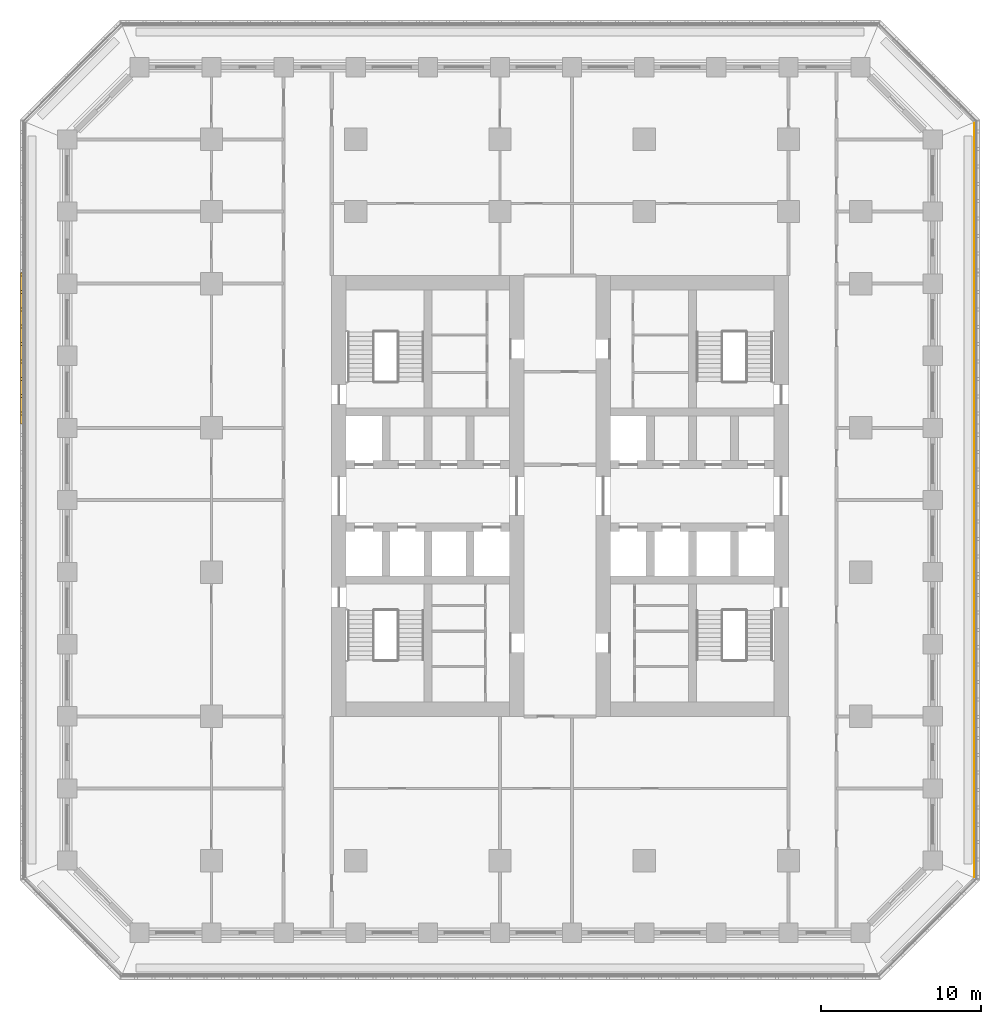
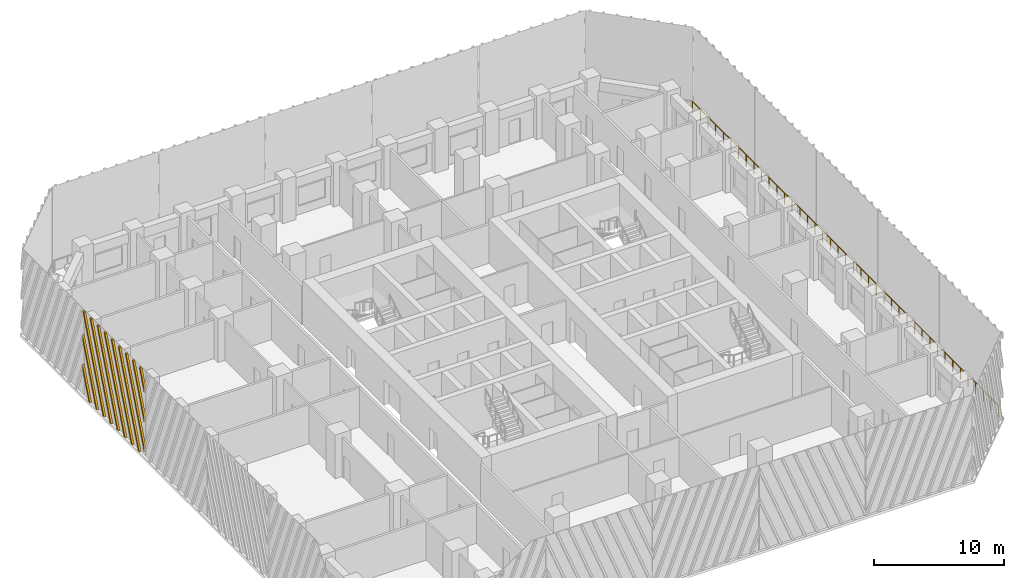
# One storey, part 14 of 19: 1 railing, 1 shading device.
"""IFC4 building model written with IfcOpenShell, lengths in metres."""

from ifc_helpers import new_model, si_unit, direction, frame, origin, origin_2d, place, context, subcontext, project, spatial, polyline, circle, outline, extrude, source, transform, mapped, material, type_object, element, save


model = new_model("IFC4")

# Units and contexts
model_context = context("Model", 3, precision=1e-05, world=origin(), true_north=direction((0.0, 1.0)))
body_context = subcontext(model_context, "Body", "Model", "MODEL_VIEW")
ifc_project = project(units=[si_unit("LENGTHUNIT", "METRE"), si_unit("AREAUNIT", "SQUARE_METRE"), si_unit("VOLUMEUNIT", "CUBIC_METRE"), si_unit("PLANEANGLEUNIT", "RADIAN"), si_unit("MASSUNIT", "GRAM", prefix="KILO")], contexts=[model_context])

# Site, building, storey
site_placement = place(None, origin())
site = spatial("IfcSite", under=ifc_project, at=site_placement, CompositionType="ELEMENT")
building_placement = place(site_placement, origin())
building = spatial("IfcBuilding", under=site, at=building_placement, Name="Corbel Stack Research Tower", CompositionType="ELEMENT")
storey_placement = place(building_placement, frame((0.0, 0.0, 124.89990234375)))
storey = spatial("IfcBuildingStorey", under=building, at=storey_placement, Name="L28", CompositionType="ELEMENT", Elevation=124.89990234375)

# Railing
ifc_material_1 = material(Name="Powder-coated steel guard", Category="steel")
railing_type = type_object("IfcRailingType", Name="Steel and glass guard 1100", PredefinedType="GUARDRAIL", material=ifc_material_1)
railing_placement = place(storey_placement, frame((29.60009765625, -19.00537109375, 0.0)))
element("IfcRailing", 1, at=railing_placement, inside=storey, type_object=railing_type, Name="Loggia guard L28 E", PredefinedType="GUARDRAIL", context=body_context, shape_type="SweptSolid", body=[
    extrude(circle(Radius=0.02392578125, at=origin_2d()), frame((0.0, 0.0, 1.076171875), z_axis=(0.0, 1.0, 0.0), x_axis=(-1.0, 0.0, 0.0)), (0.0, 0.0, 1.0), 47.0107421875),
    extrude(circle(Radius=0.02099609375, at=origin_2d()), origin(), (0.0, 0.0, 1.0), 1.052001953125),
    extrude(circle(Radius=0.02099609375, at=origin_2d()), frame((0.0, 1.17529296875, 0.0)), (0.0, 0.0, 1.0), 1.052001953125),
    extrude(circle(Radius=0.02099609375, at=origin_2d()), frame((0.0, 2.3505859375, 0.0)), (0.0, 0.0, 1.0), 1.052001953125),
    extrude(circle(Radius=0.02099609375, at=origin_2d()), frame((0.0, 3.52587890625, 0.0)), (0.0, 0.0, 1.0), 1.052001953125),
    extrude(circle(Radius=0.02099609375, at=origin_2d()), frame((0.0, 4.701171875, 0.0)), (0.0, 0.0, 1.0), 1.052001953125),
    extrude(circle(Radius=0.02099609375, at=origin_2d()), frame((0.0, 5.87646484375, 0.0)), (0.0, 0.0, 1.0), 1.052001953125),
    extrude(circle(Radius=0.02099609375, at=origin_2d()), frame((0.0, 7.051513671875, 0.0)), (0.0, 0.0, 1.0), 1.052001953125),
    extrude(circle(Radius=0.02099609375, at=origin_2d()), frame((0.0, 8.226806640625, 0.0)), (0.0, 0.0, 1.0), 1.052001953125),
    extrude(circle(Radius=0.02099609375, at=origin_2d()), frame((0.0, 9.402099609375, 0.0)), (0.0, 0.0, 1.0), 1.052001953125),
    extrude(circle(Radius=0.02099609375, at=origin_2d()), frame((0.0, 10.577392578125, 0.0)), (0.0, 0.0, 1.0), 1.052001953125),
    extrude(circle(Radius=0.02099609375, at=origin_2d()), frame((0.0, 11.752685546875, 0.0)), (0.0, 0.0, 1.0), 1.052001953125),
    extrude(circle(Radius=0.02099609375, at=origin_2d()), frame((0.0, 12.927978515625, 0.0)), (0.0, 0.0, 1.0), 1.052001953125),
    extrude(circle(Radius=0.02099609375, at=origin_2d()), frame((0.0, 14.103271484375, 0.0)), (0.0, 0.0, 1.0), 1.052001953125),
    extrude(circle(Radius=0.02099609375, at=origin_2d()), frame((0.0, 15.278564453125, 0.0)), (0.0, 0.0, 1.0), 1.052001953125),
    extrude(circle(Radius=0.02099609375, at=origin_2d()), frame((0.0, 16.453857421875, 0.0)), (0.0, 0.0, 1.0), 1.052001953125),
    extrude(circle(Radius=0.02099609375, at=origin_2d()), frame((0.0, 17.62890625, 0.0)), (0.0, 0.0, 1.0), 1.052001953125),
    extrude(circle(Radius=0.02099609375, at=origin_2d()), frame((0.0, 18.80419921875, 0.0)), (0.0, 0.0, 1.0), 1.052001953125),
    extrude(circle(Radius=0.02099609375, at=origin_2d()), frame((0.0, 19.9794921875, 0.0)), (0.0, 0.0, 1.0), 1.052001953125),
    extrude(circle(Radius=0.02099609375, at=origin_2d()), frame((0.0, 21.15478515625, 0.0)), (0.0, 0.0, 1.0), 1.052001953125),
    extrude(circle(Radius=0.02099609375, at=origin_2d()), frame((0.0, 22.330078125, 0.0)), (0.0, 0.0, 1.0), 1.052001953125),
    extrude(circle(Radius=0.02099609375, at=origin_2d()), frame((0.0, 23.50537109375, 0.0)), (0.0, 0.0, 1.0), 1.052001953125),
    extrude(circle(Radius=0.02099609375, at=origin_2d()), frame((0.0, 24.6806640625, 0.0)), (0.0, 0.0, 1.0), 1.052001953125),
    extrude(circle(Radius=0.02099609375, at=origin_2d()), frame((0.0, 25.85595703125, 0.0)), (0.0, 0.0, 1.0), 1.052001953125),
    extrude(circle(Radius=0.02099609375, at=origin_2d()), frame((0.0, 27.03125, 0.0)), (0.0, 0.0, 1.0), 1.052001953125),
    extrude(circle(Radius=0.02099609375, at=origin_2d()), frame((0.0, 28.20654296875, 0.0)), (0.0, 0.0, 1.0), 1.052001953125),
    extrude(circle(Radius=0.02099609375, at=origin_2d()), frame((0.0, 29.3818359375, 0.0)), (0.0, 0.0, 1.0), 1.052001953125),
    extrude(circle(Radius=0.02099609375, at=origin_2d()), frame((0.0, 30.556884765625, 0.0)), (0.0, 0.0, 1.0), 1.052001953125),
    extrude(circle(Radius=0.02099609375, at=origin_2d()), frame((0.0, 31.732177734375, 0.0)), (0.0, 0.0, 1.0), 1.052001953125),
    extrude(circle(Radius=0.02099609375, at=origin_2d()), frame((0.0, 32.907470703125, 0.0)), (0.0, 0.0, 1.0), 1.052001953125),
    extrude(circle(Radius=0.02099609375, at=origin_2d()), frame((0.0, 34.082763671875, 0.0)), (0.0, 0.0, 1.0), 1.052001953125),
    extrude(circle(Radius=0.02099609375, at=origin_2d()), frame((0.0, 35.258056640625, 0.0)), (0.0, 0.0, 1.0), 1.052001953125),
    extrude(circle(Radius=0.02099609375, at=origin_2d()), frame((0.0, 36.433349609375, 0.0)), (0.0, 0.0, 1.0), 1.052001953125),
    extrude(circle(Radius=0.02099609375, at=origin_2d()), frame((0.0, 37.608642578125, 0.0)), (0.0, 0.0, 1.0), 1.052001953125),
    extrude(circle(Radius=0.02099609375, at=origin_2d()), frame((0.0, 38.783935546875, 0.0)), (0.0, 0.0, 1.0), 1.052001953125),
    extrude(circle(Radius=0.02099609375, at=origin_2d()), frame((0.0, 39.959228515625, 0.0)), (0.0, 0.0, 1.0), 1.052001953125),
    extrude(circle(Radius=0.02099609375, at=origin_2d()), frame((0.0, 41.13427734375, 0.0)), (0.0, 0.0, 1.0), 1.052001953125),
    extrude(circle(Radius=0.02099609375, at=origin_2d()), frame((0.0, 42.3095703125, 0.0)), (0.0, 0.0, 1.0), 1.052001953125),
    extrude(circle(Radius=0.02099609375, at=origin_2d()), frame((0.0, 43.48486328125, 0.0)), (0.0, 0.0, 1.0), 1.052001953125),
    extrude(circle(Radius=0.02099609375, at=origin_2d()), frame((0.0, 44.66015625, 0.0)), (0.0, 0.0, 1.0), 1.052001953125),
    extrude(circle(Radius=0.02099609375, at=origin_2d()), frame((0.0, 45.83544921875, 0.0)), (0.0, 0.0, 1.0), 1.052001953125),
    extrude(circle(Radius=0.02099609375, at=origin_2d()), frame((0.0, 47.0107421875, 0.0)), (0.0, 0.0, 1.0), 1.052001953125),
])

# Shading device
ifc_material_2 = material(Name="Precast terracotta", Category="masonry")
shading_device_type = type_object("IfcShadingDeviceType", Name="Terracotta screen panel", PredefinedType="USERDEFINED", material=ifc_material_2)
shared_shape = source(origin(), body_context, "Body", "SweptSolid", [
    extrude(outline(polyline([(1.14453125, 0.0), (0.0, 2.930419921875), (0.0, 2.44384765625), (0.95458984375, 0.0), (1.14453125, 0.0)])), frame((0.0, 0.0, 0.0), z_axis=(0.0, -1.0, 0.0), x_axis=(1.0, 0.0, 0.0)), (0.0, 0.0, 1.0), 0.179931640625),
    extrude(outline(polyline([(2.22900390625, 0.0), (0.0, 5.707763671875), (0.0, 5.22119140625), (2.0390625, 0.0), (2.22900390625, 0.0)])), frame((0.0, 0.0, 0.0), z_axis=(0.0, -1.0, 0.0), x_axis=(1.0, 0.0, 0.0)), (0.0, 0.0, 1.0), 0.179931640625),
    extrude(outline(polyline([(3.313720703125, 0.0), (0.208984375, 7.949951171875), (0.01904296875, 7.949951171875), (3.123779296875, 0.0), (3.313720703125, 0.0)])), frame((0.0, 0.0, 0.0), z_axis=(0.0, -1.0, 0.0), x_axis=(1.0, 0.0, 0.0)), (0.0, 0.0, 1.0), 0.179931640625),
    extrude(outline(polyline([(4.3984375, 0.0), (1.293701171875, 7.949951171875), (1.103515625, 7.949951171875), (4.20849609375, 0.0), (4.3984375, 0.0)])), frame((0.0, 0.0, 0.0), z_axis=(0.0, -1.0, 0.0), x_axis=(1.0, 0.0, 0.0)), (0.0, 0.0, 1.0), 0.179931640625),
    extrude(outline(polyline([(5.483154296875, 0.0), (2.37841796875, 7.949951171875), (2.188232421875, 7.949951171875), (5.293212890625, 0.0), (5.483154296875, 0.0)])), frame((0.0, 0.0, 0.0), z_axis=(0.0, -1.0, 0.0), x_axis=(1.0, 0.0, 0.0)), (0.0, 0.0, 1.0), 0.179931640625),
    extrude(outline(polyline([(6.56787109375, 0.0), (3.462890625, 7.949951171875), (3.27294921875, 7.949951171875), (6.377685546875, 0.0), (6.56787109375, 0.0)])), frame((0.0, 0.0, 0.0), z_axis=(0.0, -1.0, 0.0), x_axis=(1.0, 0.0, 0.0)), (0.0, 0.0, 1.0), 0.179931640625),
    extrude(outline(polyline([(7.652587890625, 0.0), (4.547607421875, 7.949951171875), (4.357666015625, 7.949951171875), (7.46240234375, 0.0), (7.652587890625, 0.0)])), frame((0.0, 0.0, 0.0), z_axis=(0.0, -1.0, 0.0), x_axis=(1.0, 0.0, 0.0)), (0.0, 0.0, 1.0), 0.179931640625),
    extrude(outline(polyline([(8.737060546875, 0.0), (5.63232421875, 7.949951171875), (5.4423828125, 7.949951171875), (8.547119140625, 0.0), (8.737060546875, 0.0)])), frame((0.0, 0.0, 0.0), z_axis=(0.0, -1.0, 0.0), x_axis=(1.0, 0.0, 0.0)), (0.0, 0.0, 1.0), 0.179931640625),
    extrude(outline(polyline([(6.716796875, 7.949951171875), (6.52685546875, 7.949951171875), (9.45556640625, 0.451171875), (9.45556640625, 0.9375), (6.716796875, 7.949951171875)])), frame((0.0, 0.0, 0.0), z_axis=(0.0, -1.0, 0.0), x_axis=(1.0, 0.0, 0.0)), (0.0, 0.0, 1.0), 0.179931640625),
    extrude(outline(polyline([(7.801513671875, 7.949951171875), (7.611572265625, 7.949951171875), (9.45556640625, 3.228515625), (9.45556640625, 3.71484375), (7.801513671875, 7.949951171875)])), frame((0.0, 0.0, 0.0), z_axis=(0.0, -1.0, 0.0), x_axis=(1.0, 0.0, 0.0)), (0.0, 0.0, 1.0), 0.179931640625),
    extrude(outline(polyline([(8.88623046875, 7.949951171875), (8.6962890625, 7.949951171875), (9.45556640625, 6.005615234375), (9.45556640625, 6.4921875), (8.88623046875, 7.949951171875)])), frame((0.0, 0.0, 0.0), z_axis=(0.0, -1.0, 0.0), x_axis=(1.0, 0.0, 0.0)), (0.0, 0.0, 1.0), 0.179931640625),
])
shading_device_placement = place(storey_placement, frame((-29.75, 18.68359375, 0.0), z_axis=(0.0, 0.0, 1.0), x_axis=(0.0, -1.0, 0.0)))
element("IfcShadingDevice", 2, at=shading_device_placement, inside=storey, type_object=shading_device_type, Name="Terracotta screen L28 W2", ObjectType="SCREEN", PredefinedType="USERDEFINED", context=body_context, shape_type="MappedRepresentation", body=[
    mapped(shared_shape, transform((0.0, 0.0, 0.0))),
])

save(model, "model.ifc")
